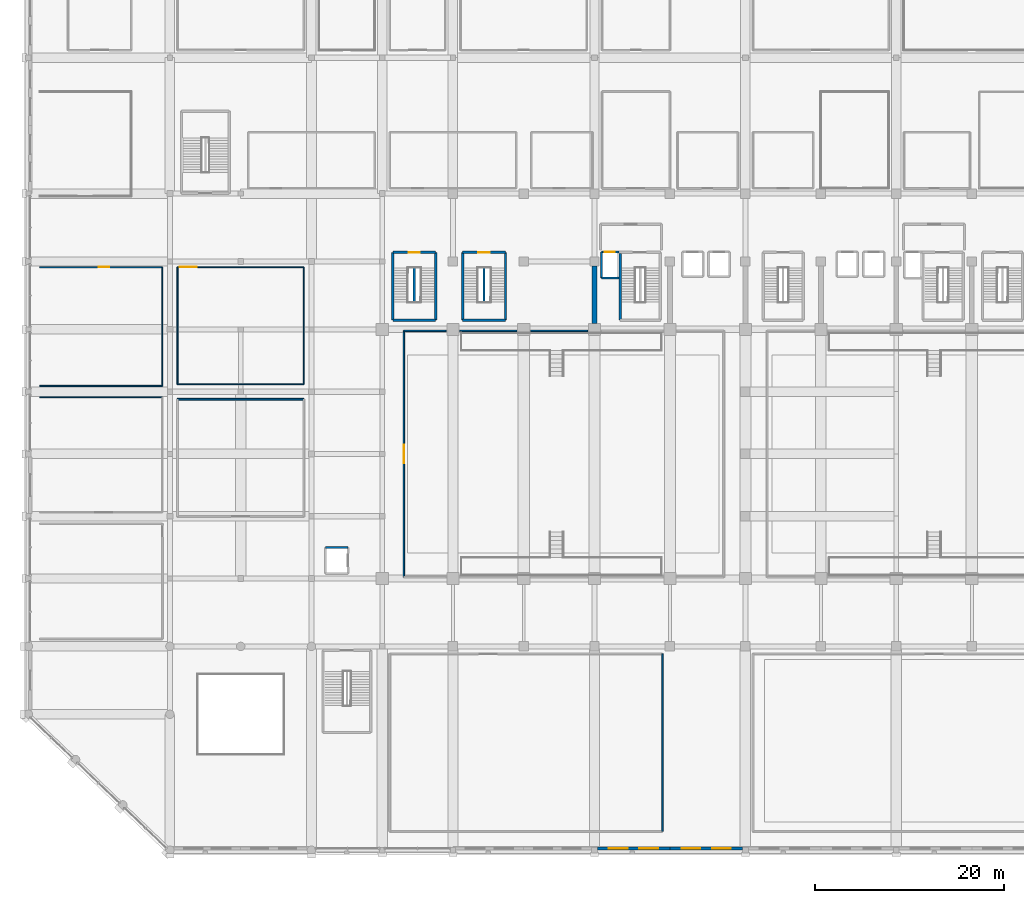
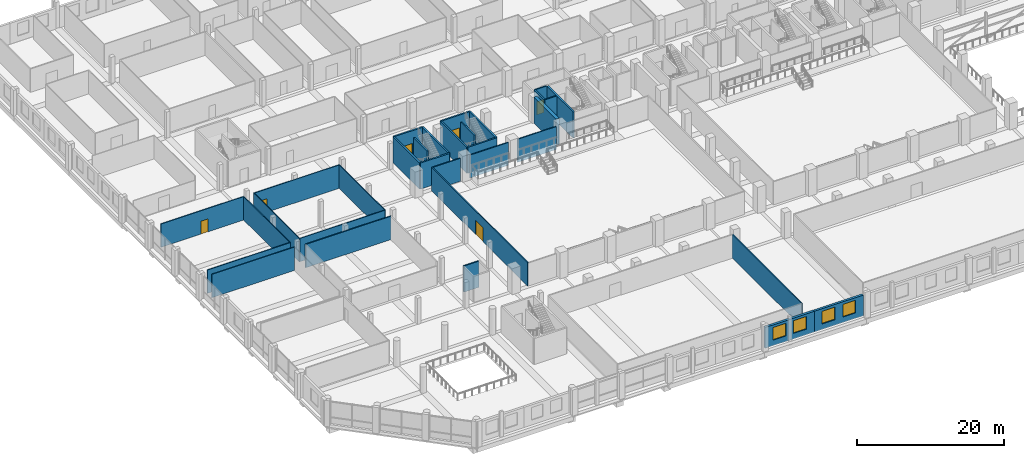
# One storey, part 43 of 68: 32 walls, 6 doors, 4 windows, 10 openings.
"""IFC4 building model written with IfcOpenShell, lengths in metres."""

from ifc_helpers import new_model, si_unit, direction, frame, frame_2d, origin, place, context, subcontext, project, spatial, rectangle, extrude, material, layer, layer_set, type_object, element, fill, save


model = new_model("IFC4")

# Units and contexts
model_context = context("Model", 3, precision=1e-05, world=origin(), true_north=direction((0.0, 1.0)))
body_context = subcontext(model_context, "Body", "Model", "MODEL_VIEW")
ifc_project = project(units=[si_unit("LENGTHUNIT", "METRE"), si_unit("AREAUNIT", "SQUARE_METRE"), si_unit("VOLUMEUNIT", "CUBIC_METRE"), si_unit("PLANEANGLEUNIT", "RADIAN"), si_unit("MASSUNIT", "GRAM", prefix="KILO")], contexts=[model_context])

# Site, building, storey
site_placement = place(None, origin())
site = spatial("IfcSite", under=ifc_project, at=site_placement, CompositionType="ELEMENT")
building_placement = place(site_placement, origin())
building = spatial("IfcBuilding", under=site, at=building_placement, Name="Akrevak Sports Hall", CompositionType="ELEMENT")
storey_placement = place(building_placement, frame((0.0, 0.0, 9.39990234375)))
storey = spatial("IfcBuildingStorey", under=building, at=storey_placement, Name="L02", CompositionType="ELEMENT", Elevation=9.39990234375)

# Wall, openings, windows
ifc_material_1 = material(Name="Limestone Ashlar", Category="stone")
ifc_layer_1 = layer(ifc_material_1, 0.080078125, Name="Limestone Ashlar")
ifc_material_2 = material(Name="Mineral Wool Thermal Insulation", Category="insulation")
ifc_layer_2 = layer(ifc_material_2, 0.10009765625, Name="Mineral Wool Thermal Insulation")
ifc_material_3 = material(Name="Concrete C40/50", Category="concrete")
ifc_layer_3 = layer(ifc_material_3, 0.179931640625, Name="Concrete C40/50")
ifc_layer_set_1 = layer_set([ifc_layer_1, ifc_layer_2, ifc_layer_3], Name="Limestone Ashlar / Mineral Wool Thermal Insulation / Concrete C40/50")
wall_type_1 = type_object("IfcWallType", Name="ARC-WL-EXT-360", PredefinedType="SOLIDWALL", material=ifc_layer_set_1)
wall_1_placement = place(storey_placement, frame((60.300048828125, 0.179931640625, 0.0), z_axis=(0.0, 0.0, 1.0), x_axis=(1.0, 0.0, 0.0)))
wall_1 = element("IfcWall", 1, at=wall_1_placement, inside=storey, type_object=wall_type_1, Name="Exterior Limestone Wall L02-S07", PredefinedType="SOLIDWALL", context=body_context, shape_type="SweptSolid", body=[
    extrude(rectangle(XDim=7.699951171875, YDim=0.360107421875, at=frame_2d((3.85009765625, 0.0))), origin(), (0.0, 0.0, 1.0), 3.4501953125),
])
opening_1_placement = place(wall_1_placement, frame((1.23291015625, 0.0, 0.919921875)))
opening_1 = element("IfcOpeningElement", 2, at=opening_1_placement, cuts=wall_1, Name="Opening WN-36", PredefinedType="OPENING", context=body_context, shape_type="SweptSolid", body=[
    extrude(rectangle(XDim=2.0, YDim=2.10009765625, at=frame_2d((1.0, 1.050048828125))), frame((0.0, 0.19189453125, 0.0), z_axis=(0.0, -1.0, 0.0), x_axis=(1.0, 0.0, 0.0)), (0.0, 0.0, 1.0), 0.384033203125),
])
opening_2_placement = place(wall_1_placement, frame((4.467041015625, 0.0, 0.919921875)))
opening_2 = element("IfcOpeningElement", 3, at=opening_2_placement, cuts=wall_1, Name="Opening WN-36", PredefinedType="OPENING", context=body_context, shape_type="SweptSolid", body=[
    extrude(rectangle(XDim=2.0, YDim=2.10009765625, at=frame_2d((1.0, 1.050048828125))), frame((0.0, 0.19189453125, 0.0), z_axis=(0.0, -1.0, 0.0), x_axis=(1.0, 0.0, 0.0)), (0.0, 0.0, 1.0), 0.384033203125),
])
ifc_material_4 = material(Name="Thermally Broken Bronze Frame & Double Low-E Glass", Category="glass")
window_type = type_object("IfcWindowType", Name="ARC-WIN-SZ-2000x2100", PartitioningType="SINGLE_PANEL", PredefinedType="WINDOW", material=ifc_material_4)
window_1_placement = place(opening_1_placement, origin())
window_1 = element("IfcWindow", 4, at=window_1_placement, inside=storey, type_object=window_type, Name="Beaux-Arts Facade Window WIN-L02-S07-1", OverallHeight=2.10009765625, OverallWidth=2.0, PartitioningType="SINGLE_PANEL", PredefinedType="WINDOW", context=body_context, shape_type="SweptSolid", body=[
    extrude(rectangle(XDim=2.0, YDim=2.10009765625, at=frame_2d((1.0, 1.050048828125))), frame((0.0, 0.030029296875, 0.0), z_axis=(0.0, -1.0, 0.0), x_axis=(1.0, 0.0, 0.0)), (0.0, 0.0, 1.0), 0.06005859375),
])
fill(opening_1, window_1)
window_2_placement = place(opening_2_placement, origin())
window_2 = element("IfcWindow", 5, at=window_2_placement, inside=storey, type_object=window_type, Name="Beaux-Arts Facade Window WIN-L02-S07-2", OverallHeight=2.10009765625, OverallWidth=2.0, PartitioningType="SINGLE_PANEL", PredefinedType="WINDOW", context=body_context, shape_type="SweptSolid", body=[
    extrude(rectangle(XDim=2.0, YDim=2.10009765625, at=frame_2d((1.0, 1.050048828125))), frame((0.0, 0.030029296875, 0.0), z_axis=(0.0, -1.0, 0.0), x_axis=(1.0, 0.0, 0.0)), (0.0, 0.0, 1.0), 0.06005859375),
])
fill(opening_2, window_2)

wall_2_placement = place(storey_placement, frame((68.0, 0.179931640625, 0.0), z_axis=(0.0, 0.0, 1.0), x_axis=(1.0, 0.0, 0.0)))
wall_2 = element("IfcWall", 6, at=wall_2_placement, inside=storey, type_object=wall_type_1, Name="Exterior Limestone Wall L02-S08", PredefinedType="SOLIDWALL", context=body_context, shape_type="SweptSolid", body=[
    extrude(rectangle(XDim=7.699951171875, YDim=0.360107421875, at=frame_2d((3.85009765625, 0.0))), origin(), (0.0, 0.0, 1.0), 3.4501953125),
])
opening_3_placement = place(wall_2_placement, frame((1.23291015625, 0.0, 0.919921875)))
opening_3 = element("IfcOpeningElement", 7, at=opening_3_placement, cuts=wall_2, Name="Opening WN-36", PredefinedType="OPENING", context=body_context, shape_type="SweptSolid", body=[
    extrude(rectangle(XDim=2.0, YDim=2.10009765625, at=frame_2d((1.0, 1.050048828125))), frame((0.0, 0.19189453125, 0.0), z_axis=(0.0, -1.0, 0.0), x_axis=(1.0, 0.0, 0.0)), (0.0, 0.0, 1.0), 0.384033203125),
])
opening_4_placement = place(wall_2_placement, frame((4.467041015625, 0.0, 0.919921875)))
opening_4 = element("IfcOpeningElement", 8, at=opening_4_placement, cuts=wall_2, Name="Opening WN-36", PredefinedType="OPENING", context=body_context, shape_type="SweptSolid", body=[
    extrude(rectangle(XDim=2.0, YDim=2.10009765625, at=frame_2d((1.0, 1.050048828125))), frame((0.0, 0.19189453125, 0.0), z_axis=(0.0, -1.0, 0.0), x_axis=(1.0, 0.0, 0.0)), (0.0, 0.0, 1.0), 0.384033203125),
])
window_3_placement = place(opening_3_placement, origin())
window_3 = element("IfcWindow", 9, at=window_3_placement, inside=storey, type_object=window_type, Name="Beaux-Arts Facade Window WIN-L02-S08-1", OverallHeight=2.10009765625, OverallWidth=2.0, PartitioningType="SINGLE_PANEL", PredefinedType="WINDOW", context=body_context, shape_type="SweptSolid", body=[
    extrude(rectangle(XDim=2.0, YDim=2.10009765625, at=frame_2d((1.0, 1.050048828125))), frame((0.0, 0.030029296875, 0.0), z_axis=(0.0, -1.0, 0.0), x_axis=(1.0, 0.0, 0.0)), (0.0, 0.0, 1.0), 0.06005859375),
])
fill(opening_3, window_3)
window_4_placement = place(opening_4_placement, origin())
window_4 = element("IfcWindow", 10, at=window_4_placement, inside=storey, type_object=window_type, Name="Beaux-Arts Facade Window WIN-L02-S08-2", OverallHeight=2.10009765625, OverallWidth=2.0, PartitioningType="SINGLE_PANEL", PredefinedType="WINDOW", context=body_context, shape_type="SweptSolid", body=[
    extrude(rectangle(XDim=2.0, YDim=2.10009765625, at=frame_2d((1.0, 1.050048828125))), frame((0.0, 0.030029296875, 0.0), z_axis=(0.0, -1.0, 0.0), x_axis=(1.0, 0.0, 0.0)), (0.0, 0.0, 1.0), 0.06005859375),
])
fill(opening_4, window_4)

# Walls
ifc_material_5 = material(Name="Lightweight Office Partition", Category="gypsum")
ifc_layer_4 = layer(ifc_material_5, 0.110107421875, Name="Lightweight Office Partition")
ifc_layer_set_2 = layer_set([ifc_layer_4], Name="Lightweight Office Partition")
wall_type_2 = type_object("IfcWallType", Name="ARC-WL-PRT-110", PredefinedType="PARTITIONING", material=ifc_layer_set_2)
wall_3_placement = place(storey_placement, frame((1.199951171875, 48.0, 0.0), z_axis=(0.0, 0.0, 1.0), x_axis=(1.0, 0.0, 0.0)))
element("IfcWall", 11, at=wall_3_placement, inside=storey, type_object=wall_type_2, Name="Interior Partition West Boulevard Equipment Storage L02-1 (N)", PredefinedType="PARTITIONING", context=body_context, shape_type="SweptSolid", body=[
    extrude(rectangle(XDim=13.0, YDim=0.110107421875, at=frame_2d((6.5, 0.0))), origin(), (0.0, 0.0, 1.0), 3.880126953125),
])
ifc_material_6 = material(Name="Standard Metal Stud Partition", Category="gypsum")
ifc_layer_5 = layer(ifc_material_6, 0.1201171875, Name="Standard Metal Stud Partition")
ifc_layer_set_3 = layer_set([ifc_layer_5], Name="Standard Metal Stud Partition")
wall_type_3 = type_object("IfcWallType", Name="ARC-WL-PRT-120", PredefinedType="PARTITIONING", material=ifc_layer_set_3)
wall_4_placement = place(storey_placement, frame((15.800048828125, 49.39990234375, 0.0), z_axis=(0.0, 0.0, 1.0), x_axis=(1.0, 0.0, 0.0)))
element("IfcWall", 12, at=wall_4_placement, inside=storey, type_object=wall_type_3, Name="Interior Partition West Wing Apparatus Storage L02 (S)", PredefinedType="PARTITIONING", context=body_context, shape_type="SweptSolid", body=[
    extrude(rectangle(XDim=13.39990234375, YDim=0.1201171875, at=frame_2d((6.699951171875, 0.0))), origin(), (0.0, 0.0, 1.0), 3.880126953125),
])

# Wall, opening, door
wall_5_placement = place(storey_placement, frame((15.800048828125, 61.800048828125, 0.0), z_axis=(0.0, 0.0, 1.0), x_axis=(1.0, 0.0, 0.0)))
wall_5 = element("IfcWall", 13, at=wall_5_placement, inside=storey, type_object=wall_type_3, Name="Interior Partition West Wing Apparatus Storage L02 (N)", PredefinedType="PARTITIONING", context=body_context, shape_type="SweptSolid", body=[
    extrude(rectangle(XDim=13.39990234375, YDim=0.1201171875, at=frame_2d((6.699951171875, 0.0))), origin(), (0.0, 0.0, 1.0), 3.880126953125),
])
opening_5_placement = place(wall_5_placement, frame((0.25, 0.0, 0.0)))
opening_5 = element("IfcOpeningElement", 14, at=opening_5_placement, cuts=wall_5, Name="Opening ID-02", PredefinedType="OPENING", context=body_context, shape_type="SweptSolid", body=[
    extrude(rectangle(XDim=1.800048828125, YDim=2.25, at=frame_2d((0.89990234375, 1.125))), frame((0.0, 0.072021484375, 0.0), z_axis=(0.0, -1.0, 0.0), x_axis=(1.0, 0.0, 0.0)), (0.0, 0.0, 1.0), 0.14404296875),
])
ifc_material_7 = material(Name="Hardwood Oak & Safety Glass", Category="wood")
door_type_1 = type_object("IfcDoorType", Name="ARC-DR-HALL-180x225", OperationType="DOUBLE_DOOR_SINGLE_SWING", PredefinedType="DOOR", material=ifc_material_7)
door_1_placement = place(opening_5_placement, origin())
door_1 = element("IfcDoor", 15, at=door_1_placement, inside=storey, type_object=door_type_1, Name="Door to West Wing Apparatus Storage L02", OperationType="DOUBLE_DOOR_SINGLE_SWING", OverallHeight=2.25, OverallWidth=1.800048828125, PredefinedType="DOOR", context=body_context, shape_type="SweptSolid", body=[
    extrude(rectangle(XDim=1.800048828125, YDim=2.25, at=frame_2d((0.89990234375, 1.125))), frame((0.0, 0.02490234375, 0.0), z_axis=(0.0, -1.0, 0.0), x_axis=(1.0, 0.0, 0.0)), (0.0, 0.0, 1.0), 0.050048828125),
])
fill(opening_5, door_1)

# Walls
for number, where, z_axis, x_axis, name in (
    (16, (15.800048828125, 49.39990234375, 0.0), (0.0, 0.0, 1.0), (0.0, 1.0, 0.0), "Interior Partition West Wing Apparatus Storage L02 (W)"),
    (17, (29.199951171875, 49.39990234375, 0.0), (0.0, 0.0, 1.0), (0.0, 1.0, 0.0), "Interior Partition West Wing Apparatus Storage L02 (E)"),
):
    element("IfcWall", number, at=place(storey_placement, frame(where, z_axis=z_axis, x_axis=x_axis)), inside=storey, type_object=wall_type_3, Name=name, PredefinedType="PARTITIONING", context=body_context, shape_type="SweptSolid", body=[
        extrude(rectangle(XDim=12.400146484375, YDim=0.1201171875, at=frame_2d((6.2001953125, 0.0))), origin(), (0.0, 0.0, 1.0), 3.880126953125),
    ])
ifc_material_8 = material(Name="Acoustic Metal Stud Partition", Category="gypsum")
ifc_layer_6 = layer(ifc_material_8, 0.1298828125, Name="Acoustic Metal Stud Partition")
ifc_layer_set_4 = layer_set([ifc_layer_6], Name="Acoustic Metal Stud Partition")
wall_type_4 = type_object("IfcWallType", Name="ARC-WL-PRT-130", PredefinedType="PARTITIONING", material=ifc_layer_set_4)
wall_6_placement = place(storey_placement, frame((1.199951171875, 49.199951171875, 0.0), z_axis=(0.0, 0.0, 1.0), x_axis=(1.0, 0.0, 0.0)))
element("IfcWall", 18, at=wall_6_placement, inside=storey, type_object=wall_type_4, Name="Interior Partition West Boulevard Federation Office L02-2 (S)", PredefinedType="PARTITIONING", context=body_context, shape_type="SweptSolid", body=[
    extrude(rectangle(XDim=13.0, YDim=0.1298828125, at=frame_2d((6.5, 0.0))), origin(), (0.0, 0.0, 1.0), 3.880126953125),
])

# Wall, opening, door
wall_7_placement = place(storey_placement, frame((1.199951171875, 61.800048828125, 0.0), z_axis=(0.0, 0.0, 1.0), x_axis=(1.0, 0.0, 0.0)))
wall_7 = element("IfcWall", 19, at=wall_7_placement, inside=storey, type_object=wall_type_4, Name="Interior Partition West Boulevard Federation Office L02-2 (N)", PredefinedType="PARTITIONING", context=body_context, shape_type="SweptSolid", body=[
    extrude(rectangle(XDim=13.0, YDim=0.1298828125, at=frame_2d((6.5, 0.0))), origin(), (0.0, 0.0, 1.0), 3.880126953125),
])
opening_6_placement = place(wall_7_placement, frame((6.25, 0.0, 0.0)))
opening_6 = element("IfcOpeningElement", 20, at=opening_6_placement, cuts=wall_7, Name="Opening ID-04", PredefinedType="OPENING", context=body_context, shape_type="SweptSolid", body=[
    extrude(rectangle(XDim=1.10009765625, YDim=2.14990234375, at=frame_2d((0.550048828125, 1.074951171875))), frame((0.0, 0.076904296875, 0.0), z_axis=(0.0, -1.0, 0.0), x_axis=(1.0, 0.0, 0.0)), (0.0, 0.0, 1.0), 0.15380859375),
])
ifc_material_9 = material(Name="Hardwood Oak Acoustic Leaf", Category="wood")
door_type_2 = type_object("IfcDoorType", Name="ARC-DR-OFF-110x215", OperationType="NOTDEFINED", PredefinedType="DOOR", material=ifc_material_9)
door_2_placement = place(opening_6_placement, frame((1.10009765625, 0.0, 0.0), z_axis=(0.0, 0.0, 1.0), x_axis=(-1.0, 0.0, 0.0)))
door_2 = element("IfcDoor", 21, at=door_2_placement, inside=storey, type_object=door_type_2, Name="Door to West Boulevard Federation Office L02-2", OperationType="SINGLE_SWING_RIGHT", OverallHeight=2.14990234375, OverallWidth=1.10009765625, PredefinedType="DOOR", context=body_context, shape_type="SweptSolid", body=[
    extrude(rectangle(XDim=1.10009765625, YDim=2.14990234375, at=frame_2d((0.550048828125, 1.074951171875))), frame((0.0, 0.02490234375, 0.0), z_axis=(0.0, -1.0, 0.0), x_axis=(1.0, 0.0, 0.0)), (0.0, 0.0, 1.0), 0.050048828125),
])
fill(opening_6, door_2)

# Walls
wall_8_placement = place(storey_placement, frame((14.199951171875, 49.199951171875, 0.0), z_axis=(0.0, 0.0, 1.0), x_axis=(0.0, 1.0, 0.0)))
element("IfcWall", 22, at=wall_8_placement, inside=storey, type_object=wall_type_4, Name="Interior Partition West Boulevard Federation Office L02-2 (E)", PredefinedType="PARTITIONING", context=body_context, shape_type="SweptSolid", body=[
    extrude(rectangle(XDim=12.60009765625, YDim=0.1298828125, at=frame_2d((6.300048828125, 0.0))), origin(), (0.0, 0.0, 1.0), 3.880126953125),
])
ifc_material_10 = material(Name="Double Stud Fireboard Partition", Category="gypsum")
ifc_layer_7 = layer(ifc_material_10, 0.1650390625, Name="Double Stud Fireboard Partition")
ifc_layer_set_5 = layer_set([ifc_layer_7], Name="Double Stud Fireboard Partition")
wall_type_5 = type_object("IfcWallType", Name="ARC-WL-PRT-165", PredefinedType="PARTITIONING", material=ifc_layer_set_5)
wall_9_placement = place(storey_placement, frame((39.800048828125, 55.050048828125, 0.0), z_axis=(0.0, 0.0, 1.0), x_axis=(1.0, 0.0, 0.0)))
element("IfcWall", 23, at=wall_9_placement, inside=storey, type_object=wall_type_5, Name="Interior Partition Sports Hall 2 - Basketball Court (N) Segment 1", PredefinedType="PARTITIONING", context=body_context, shape_type="SweptSolid", body=[
    extrude(rectangle(XDim=4.469970703125, YDim=0.1650390625, at=frame_2d((2.23486328125, 0.0))), origin(), (0.0, 0.0, 1.0), 3.800048828125),
])
for number, where, z_axis, x_axis, name in (
    (24, (45.72998046875, 55.050048828125, 0.0), (0.0, 0.0, 1.0), (1.0, 0.0, 0.0), "Interior Partition Sports Hall 2 - Basketball Court (N) Segment 2"),
    (25, (53.22998046875, 55.050048828125, 0.0), (0.0, 0.0, 1.0), (1.0, 0.0, 0.0), "Interior Partition Sports Hall 2 - Basketball Court (N) Segment 3"),
):
    element("IfcWall", number, at=place(storey_placement, frame(where, z_axis=z_axis, x_axis=x_axis)), inside=storey, type_object=wall_type_5, Name=name, PredefinedType="PARTITIONING", context=body_context, shape_type="SweptSolid", body=[
        extrude(rectangle(XDim=6.0400390625, YDim=0.1650390625, at=frame_2d((3.02001953125, 0.0))), origin(), (0.0, 0.0, 1.0), 3.800048828125),
    ])

# Wall, opening, door
wall_10_placement = place(storey_placement, frame((39.800048828125, 28.949951171875, 0.0), z_axis=(0.0, 0.0, 1.0), x_axis=(0.0, 1.0, 0.0)))
wall_10 = element("IfcWall", 26, at=wall_10_placement, inside=storey, type_object=wall_type_5, Name="Interior Partition Sports Hall 2 - Basketball Court (W)", PredefinedType="PARTITIONING", context=body_context, shape_type="SweptSolid", body=[
    extrude(rectangle(XDim=26.10009765625, YDim=0.1650390625, at=frame_2d((13.050048828125, 0.0))), origin(), (0.0, 0.0, 1.0), 3.880126953125),
])
opening_7_placement = place(wall_10_placement, frame((12.050048828125, 0.0, 0.0)))
opening_7 = element("IfcOpeningElement", 27, at=opening_7_placement, cuts=wall_10, Name="Opening ID-01", PredefinedType="OPENING", context=body_context, shape_type="SweptSolid", body=[
    extrude(rectangle(XDim=2.0, YDim=2.35009765625, at=frame_2d((1.0, 1.175048828125))), frame((0.0, 0.094482421875, 0.0), z_axis=(0.0, -1.0, 0.0), x_axis=(1.0, 0.0, 0.0)), (0.0, 0.0, 1.0), 0.18896484375),
])
door_type_3 = type_object("IfcDoorType", Name="ARC-DR-HALL-200x235", OperationType="DOUBLE_DOOR_SINGLE_SWING", PredefinedType="DOOR", material=ifc_material_7)
door_3_placement = place(opening_7_placement, origin())
door_3 = element("IfcDoor", 28, at=door_3_placement, inside=storey, type_object=door_type_3, Name="Door to Sports Hall 2 - Basketball Court", OperationType="DOUBLE_DOOR_SINGLE_SWING", OverallHeight=2.35009765625, OverallWidth=2.0, PredefinedType="DOOR", context=body_context, shape_type="SweptSolid", body=[
    extrude(rectangle(XDim=2.0, YDim=2.35009765625, at=frame_2d((1.0, 1.175048828125))), frame((0.0, 0.02490234375, 0.0), z_axis=(0.0, -1.0, 0.0), x_axis=(1.0, 0.0, 0.0)), (0.0, 0.0, 1.0), 0.050048828125),
])
fill(opening_7, door_3)

# Walls
wall_11_placement = place(storey_placement, frame((67.199951171875, 2.0, 0.0), z_axis=(0.0, 0.0, 1.0), x_axis=(0.0, 1.0, 0.0)))
element("IfcWall", 29, at=wall_11_placement, inside=storey, type_object=wall_type_5, Name="Interior Partition Fitness Studio 4 - Combat & Fencing (E)", PredefinedType="PARTITIONING", context=body_context, shape_type="SweptSolid", body=[
    extrude(rectangle(XDim=18.800048828125, YDim=0.1650390625, at=frame_2d((9.39990234375, 0.0))), origin(), (0.0, 0.0, 1.0), 3.880126953125),
])
wall_12_placement = place(storey_placement, frame((15.800048828125, 47.800048828125, 0.0), z_axis=(0.0, 0.0, 1.0), x_axis=(1.0, 0.0, 0.0)))
element("IfcWall", 30, at=wall_12_placement, inside=storey, type_object=wall_type_5, Name="Interior Partition West Wing Athletic Conditioning Studio L02 (N)", PredefinedType="PARTITIONING", context=body_context, shape_type="SweptSolid", body=[
    extrude(rectangle(XDim=13.39990234375, YDim=0.1650390625, at=frame_2d((6.699951171875, 0.0))), origin(), (0.0, 0.0, 1.0), 3.880126953125),
])
ifc_layer_8 = layer(ifc_material_3, 0.219970703125, Name="Concrete C40/50")
ifc_layer_set_6 = layer_set([ifc_layer_8], Name="Concrete C40/50")
wall_type_6 = type_object("IfcWallType", Name="ARC-WL-PRT-220", PredefinedType="PARTITIONING", material=ifc_layer_set_6)
for number, where, z_axis, x_axis, name in (
    (31, (48.300048828125, 58.094970703125, 0.0), (0.0, 0.0, 1.0), (0.0, 1.0, 0.0), "Stair ST4 Central Spine Wall (L02)"),
    (32, (40.89990234375, 58.094970703125, 0.0), (0.0, 0.0, 1.0), (0.0, 1.0, 0.0), "Stair ST9 Central Spine Wall (L02)"),
):
    element("IfcWall", number, at=place(storey_placement, frame(where, z_axis=z_axis, x_axis=x_axis)), inside=storey, type_object=wall_type_6, Name=name, PredefinedType="PARTITIONING", context=body_context, shape_type="SweptSolid", body=[
        extrude(rectangle(XDim=3.64013671875, YDim=0.219970703125, at=frame_2d((1.820068359375, 0.0))), origin(), (0.0, 0.0, 1.0), 4.320068359375),
    ])
ifc_material_11 = material(Name="Concrete C50/60", Category="concrete")
ifc_layer_9 = layer(ifc_material_11, 0.219970703125, Name="Concrete C50/60")
ifc_layer_set_7 = layer_set([ifc_layer_9], Name="Concrete C50/60")
wall_type_7 = type_object("IfcWallType", Name="ARC-WL-SHAFT-220", PredefinedType="SHEAR", material=ifc_layer_set_7)
wall_13_placement = place(storey_placement, frame((60.760009765625, 60.659912109375, 0.0), z_axis=(0.0, 0.0, 1.0), x_axis=(1.0, 0.0, 0.0)))
element("IfcWall", 33, at=wall_13_placement, inside=storey, type_object=wall_type_7, Name="Lift Shaft LF-FF1 Wall S (L02)", PredefinedType="SHEAR", context=body_context, shape_type="SweptSolid", body=[
    extrude(rectangle(XDim=1.840087890625, YDim=0.219970703125, at=frame_2d((0.919921875, 0.0))), origin(), (0.0, 0.0, 1.0), 4.320068359375),
])

# Wall, opening, door
wall_14_placement = place(storey_placement, frame((62.60009765625, 63.389892578125, 0.0), z_axis=(0.0, 0.0, 1.0), x_axis=(-1.0, 0.0, 0.0)))
wall_14 = element("IfcWall", 34, at=wall_14_placement, inside=storey, type_object=wall_type_7, Name="Lift Shaft LF-FF1 Wall N (L02)", PredefinedType="SHEAR", context=body_context, shape_type="SweptSolid", body=[
    extrude(rectangle(XDim=1.840087890625, YDim=0.219970703125, at=frame_2d((0.919921875, 0.0))), origin(), (0.0, 0.0, 1.0), 4.320068359375),
])
opening_8_placement = place(wall_14_placement, frame((0.425048828125, 0.0, 0.0)))
opening_8 = element("IfcOpeningElement", 35, at=opening_8_placement, cuts=wall_14, Name="Opening LD-01", PredefinedType="OPENING", context=body_context, shape_type="SweptSolid", body=[
    extrude(rectangle(XDim=1.10009765625, YDim=2.199951171875, at=frame_2d((0.550048828125, 1.10009765625))), frame((0.0, 0.1220703125, 0.0), z_axis=(0.0, -1.0, 0.0), x_axis=(1.0, 0.0, 0.0)), (0.0, 0.0, 1.0), 0.243896484375),
])
ifc_material_12 = material(Name="Brushed Stainless Steel 304", Category="steel")
door_type_4 = type_object("IfcDoorType", Name="ARC-DR-LD-110x220", OperationType="SLIDING_TO_LEFT", PredefinedType="DOOR", material=ifc_material_12)
door_4_placement = place(opening_8_placement, origin())
door_4 = element("IfcDoor", 36, at=door_4_placement, inside=storey, type_object=door_type_4, Name="Lift LF-FF1 Sliding Landing Door (L02)", OperationType="SLIDING_TO_LEFT", OverallHeight=2.199951171875, OverallWidth=1.10009765625, PredefinedType="DOOR", context=body_context, shape_type="SweptSolid", body=[
    extrude(rectangle(XDim=1.10009765625, YDim=2.199951171875, at=frame_2d((0.550048828125, 1.10009765625))), frame((0.0, 0.02490234375, 0.0), z_axis=(0.0, -1.0, 0.0), x_axis=(1.0, 0.0, 0.0)), (0.0, 0.0, 1.0), 0.050048828125),
])
fill(opening_8, door_4)

# Walls
wall_15_placement = place(storey_placement, frame((60.760009765625, 63.389892578125, 0.0), z_axis=(0.0, 0.0, 1.0), x_axis=(0.0, -1.0, 0.0)))
element("IfcWall", 37, at=wall_15_placement, inside=storey, type_object=wall_type_7, Name="Lift Shaft LF-FF1 Wall W (L02)", PredefinedType="SHEAR", context=body_context, shape_type="SweptSolid", body=[
    extrude(rectangle(XDim=2.72998046875, YDim=0.219970703125, at=frame_2d((1.364990234375, 0.0))), origin(), (0.0, 0.0, 1.0), 4.320068359375),
])
wall_16_placement = place(storey_placement, frame((33.889892578125, 32.090087890625, 0.0), z_axis=(0.0, 0.0, 1.0), x_axis=(-1.0, 0.0, 0.0)))
element("IfcWall", 38, at=wall_16_placement, inside=storey, type_object=wall_type_7, Name="Lift Shaft LF-G1 Wall N (L02)", PredefinedType="SHEAR", context=body_context, shape_type="SweptSolid", body=[
    extrude(rectangle(XDim=2.3798828125, YDim=0.219970703125, at=frame_2d((1.18994140625, 0.0))), origin(), (0.0, 0.0, 1.0), 4.320068359375),
])
ifc_layer_10 = layer(ifc_material_11, 0.5, Name="Concrete C50/60")
ifc_layer_set_8 = layer_set([ifc_layer_10], Name="Concrete C50/60")
wall_type_8 = type_object("IfcWallType", Name="STR-WL-CORE-500", PredefinedType="SHEAR", material=ifc_layer_set_8)
wall_17_placement = place(storey_placement, frame((60.0, 55.85009765625, 0.0), z_axis=(0.0, 0.0, 1.0), x_axis=(0.0, 1.0, 0.0)))
element("IfcWall", 39, at=wall_17_placement, inside=storey, type_object=wall_type_8, Name="Reinforced Concrete Shear Wall SW-W2 (L02)", PredefinedType="SHEAR", context=body_context, shape_type="SweptSolid", body=[
    extrude(rectangle(XDim=6.0498046875, YDim=0.5, at=frame_2d((3.02490234375, 0.0))), origin(), (0.0, 0.0, 1.0), 4.320068359375),
])
ifc_layer_11 = layer(ifc_material_11, 0.25, Name="Concrete C50/60")
ifc_layer_set_9 = layer_set([ifc_layer_11], Name="Concrete C50/60")
wall_type_9 = type_object("IfcWallType", Name="STR-WL-STAIR-250", PredefinedType="SHEAR", material=ifc_layer_set_9)
wall_18_placement = place(storey_placement, frame((62.72509765625, 63.25, 0.0), z_axis=(0.0, 0.0, 1.0), x_axis=(0.0, -1.0, 0.0)))
element("IfcWall", 40, at=wall_18_placement, inside=storey, type_object=wall_type_9, Name="Stair Core ST1 Shear Wall W (L02)", PredefinedType="SHEAR", context=body_context, shape_type="SweptSolid", body=[
    extrude(rectangle(XDim=7.074951171875, YDim=0.25, at=frame_2d((3.53759765625, 0.0))), origin(), (0.0, 0.0, 1.0), 4.320068359375),
])
wall_19_placement = place(storey_placement, frame((46.02490234375, 56.175048828125, 0.0), z_axis=(0.0, 0.0, 1.0), x_axis=(1.0, 0.0, 0.0)))
element("IfcWall", 41, at=wall_19_placement, inside=storey, type_object=wall_type_9, Name="Stair Core ST4 Shear Wall S (L02)", PredefinedType="SHEAR", context=body_context, shape_type="SweptSolid", body=[
    extrude(rectangle(XDim=4.550048828125, YDim=0.25, at=frame_2d((2.27490234375, 0.0))), origin(), (0.0, 0.0, 1.0), 4.320068359375),
])

# Wall, opening, door
wall_20_placement = place(storey_placement, frame((50.574951171875, 63.375, 0.0), z_axis=(0.0, 0.0, 1.0), x_axis=(-1.0, 0.0, 0.0)))
wall_20 = element("IfcWall", 42, at=wall_20_placement, inside=storey, type_object=wall_type_9, Name="Stair Core ST4 Shear Wall N (L02)", PredefinedType="SHEAR", context=body_context, shape_type="SweptSolid", body=[
    extrude(rectangle(XDim=4.550048828125, YDim=0.25, at=frame_2d((2.27490234375, 0.0))), origin(), (0.0, 0.0, 1.0), 4.320068359375),
])
opening_9_placement = place(wall_20_placement, frame((1.675048828125, 0.0, 0.0)))
opening_9 = element("IfcOpeningElement", 43, at=opening_9_placement, cuts=wall_20, Name="Opening SD-02", PredefinedType="OPENING", context=body_context, shape_type="SweptSolid", body=[
    extrude(rectangle(XDim=1.199951171875, YDim=2.199951171875, at=frame_2d((0.60009765625, 1.10009765625))), frame((0.0, 0.136962890625, 0.0), z_axis=(0.0, -1.0, 0.0), x_axis=(1.0, 0.0, 0.0)), (0.0, 0.0, 1.0), 0.27392578125),
])
ifc_material_13 = material(Name="Fire-Rated Galvanized Door Steel", Category="steel")
door_type_5 = type_object("IfcDoorType", Name="ARC-DR-STAIR-120x220", OperationType="NOTDEFINED", PredefinedType="DOOR", material=ifc_material_13)
door_5_placement = place(opening_9_placement, origin())
door_5 = element("IfcDoor", 44, at=door_5_placement, inside=storey, type_object=door_type_5, Name="Exit Stair ST4 Door (L02)", OperationType="SINGLE_SWING_LEFT", OverallHeight=2.199951171875, OverallWidth=1.199951171875, PredefinedType="DOOR", context=body_context, shape_type="SweptSolid", body=[
    extrude(rectangle(XDim=1.199951171875, YDim=2.199951171875, at=frame_2d((0.60009765625, 1.10009765625))), frame((0.0, 0.02490234375, 0.0), z_axis=(0.0, -1.0, 0.0), x_axis=(1.0, 0.0, 0.0)), (0.0, 0.0, 1.0), 0.050048828125),
])
fill(opening_9, door_5)

# Walls
for number, where, z_axis, x_axis, name in (
    (45, (46.02490234375, 63.375, 0.0), (0.0, 0.0, 1.0), (0.0, -1.0, 0.0), "Stair Core ST4 Shear Wall W (L02)"),
    (46, (50.574951171875, 56.175048828125, 0.0), (0.0, 0.0, 1.0), (0.0, 1.0, 0.0), "Stair Core ST4 Shear Wall E (L02)"),
):
    element("IfcWall", number, at=place(storey_placement, frame(where, z_axis=z_axis, x_axis=x_axis)), inside=storey, type_object=wall_type_9, Name=name, PredefinedType="SHEAR", context=body_context, shape_type="SweptSolid", body=[
        extrude(rectangle(XDim=7.199951171875, YDim=0.25, at=frame_2d((3.60009765625, 0.0))), origin(), (0.0, 0.0, 1.0), 4.320068359375),
    ])
wall_21_placement = place(storey_placement, frame((38.625, 56.175048828125, 0.0), z_axis=(0.0, 0.0, 1.0), x_axis=(1.0, 0.0, 0.0)))
element("IfcWall", 47, at=wall_21_placement, inside=storey, type_object=wall_type_9, Name="Stair Core ST9 Shear Wall S (L02)", PredefinedType="SHEAR", context=body_context, shape_type="SweptSolid", body=[
    extrude(rectangle(XDim=4.550048828125, YDim=0.25, at=frame_2d((2.27490234375, 0.0))), origin(), (0.0, 0.0, 1.0), 4.320068359375),
])

# Wall, opening, door
wall_22_placement = place(storey_placement, frame((43.175048828125, 63.375, 0.0), z_axis=(0.0, 0.0, 1.0), x_axis=(-1.0, 0.0, 0.0)))
wall_22 = element("IfcWall", 48, at=wall_22_placement, inside=storey, type_object=wall_type_9, Name="Stair Core ST9 Shear Wall N (L02)", PredefinedType="SHEAR", context=body_context, shape_type="SweptSolid", body=[
    extrude(rectangle(XDim=4.550048828125, YDim=0.25, at=frame_2d((2.27490234375, 0.0))), origin(), (0.0, 0.0, 1.0), 4.320068359375),
])
opening_10_placement = place(wall_22_placement, frame((1.675048828125, 0.0, 0.0)))
opening_10 = element("IfcOpeningElement", 49, at=opening_10_placement, cuts=wall_22, Name="Opening SD-02", PredefinedType="OPENING", context=body_context, shape_type="SweptSolid", body=[
    extrude(rectangle(XDim=1.199951171875, YDim=2.199951171875, at=frame_2d((0.60009765625, 1.10009765625))), frame((0.0, 0.136962890625, 0.0), z_axis=(0.0, -1.0, 0.0), x_axis=(1.0, 0.0, 0.0)), (0.0, 0.0, 1.0), 0.27392578125),
])
door_6_placement = place(opening_10_placement, origin())
door_6 = element("IfcDoor", 50, at=door_6_placement, inside=storey, type_object=door_type_5, Name="Exit Stair ST9 Door (L02)", OperationType="SINGLE_SWING_RIGHT", OverallHeight=2.199951171875, OverallWidth=1.199951171875, PredefinedType="DOOR", context=body_context, shape_type="SweptSolid", body=[
    extrude(rectangle(XDim=1.199951171875, YDim=2.199951171875, at=frame_2d((0.60009765625, 1.10009765625))), frame((0.0, 0.02490234375, 0.0), z_axis=(0.0, -1.0, 0.0), x_axis=(1.0, 0.0, 0.0)), (0.0, 0.0, 1.0), 0.050048828125),
])
fill(opening_10, door_6)

# Walls
for number, where, z_axis, x_axis, name in (
    (51, (38.625, 63.375, 0.0), (0.0, 0.0, 1.0), (0.0, -1.0, 0.0), "Stair Core ST9 Shear Wall W (L02)"),
    (52, (43.175048828125, 56.175048828125, 0.0), (0.0, 0.0, 1.0), (0.0, 1.0, 0.0), "Stair Core ST9 Shear Wall E (L02)"),
):
    element("IfcWall", number, at=place(storey_placement, frame(where, z_axis=z_axis, x_axis=x_axis)), inside=storey, type_object=wall_type_9, Name=name, PredefinedType="SHEAR", context=body_context, shape_type="SweptSolid", body=[
        extrude(rectangle(XDim=7.199951171875, YDim=0.25, at=frame_2d((3.60009765625, 0.0))), origin(), (0.0, 0.0, 1.0), 4.320068359375),
    ])

save(model, "model.ifc")
